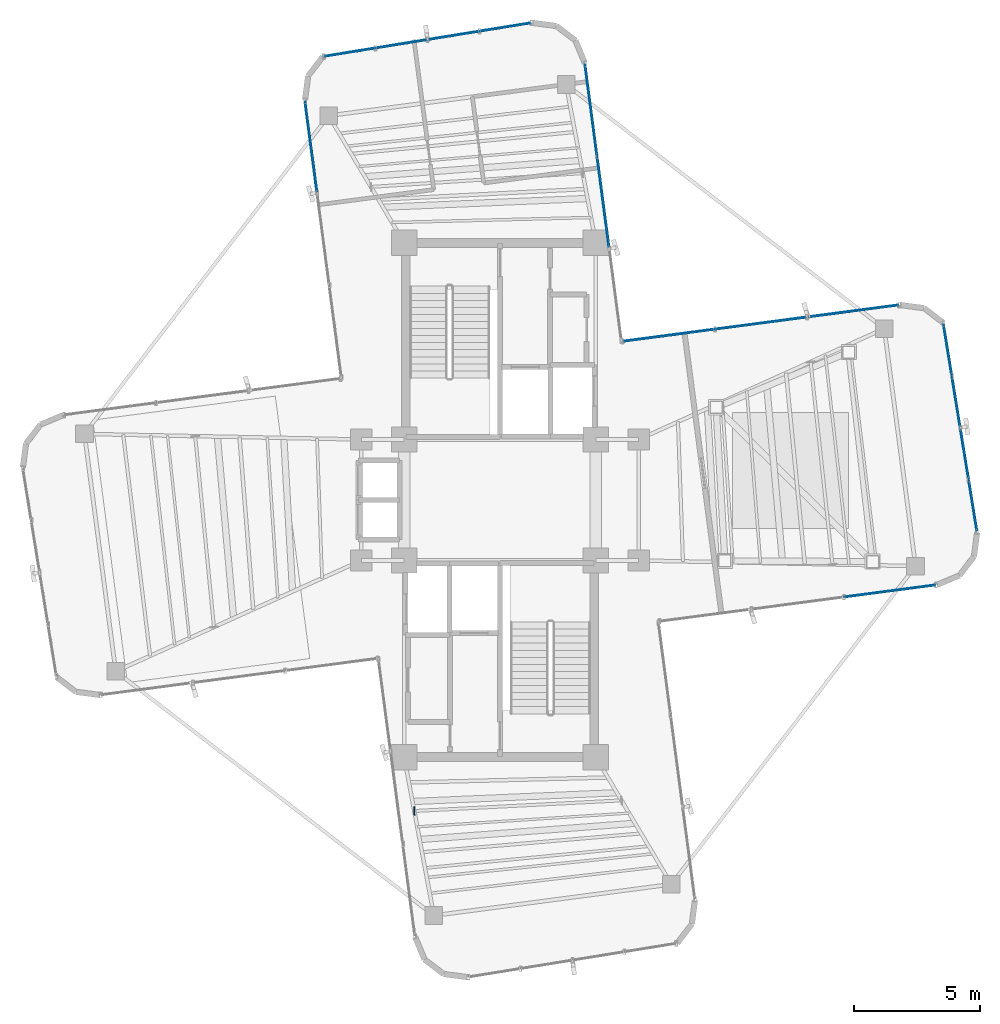
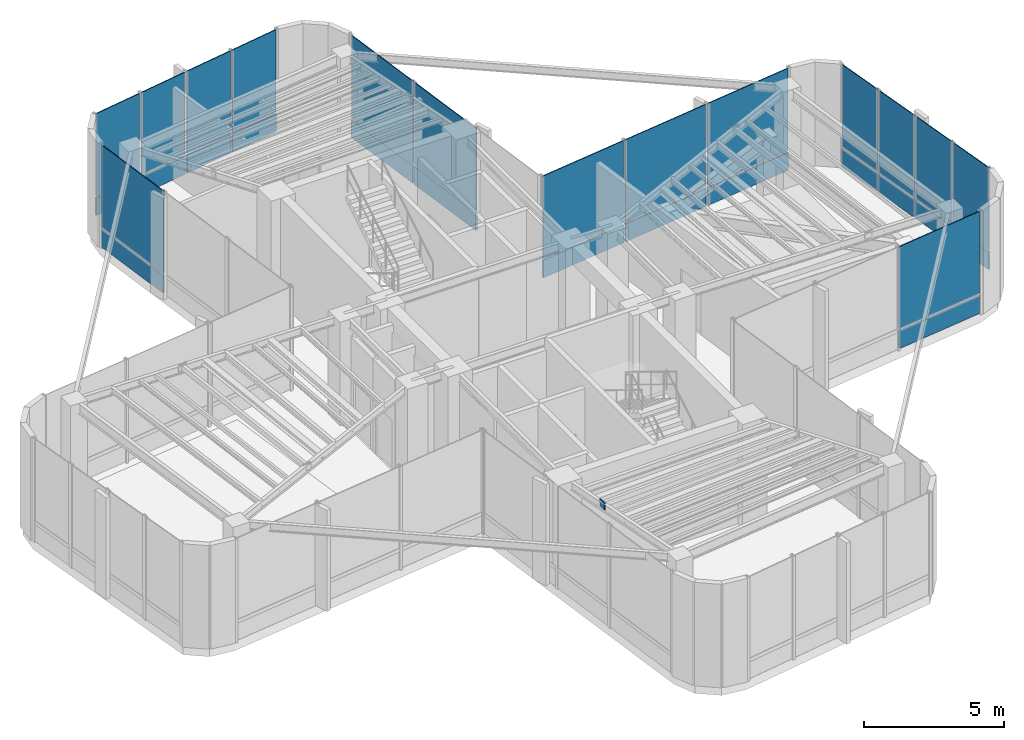
# One storey, part 12 of 16: 31 plates, 6 elements without a shape of their own.
"""IFC4 building model written with IfcOpenShell, lengths in metres."""

from ifc_helpers import new_model, si_unit, direction, frame, origin, origin_2d, place, context, subcontext, project, spatial, rectangle, extrude, source, transform, mapped, material, layer, layer_set, type_object, element, aggregate, save


model = new_model("IFC4")

# Units and contexts
model_context = context("Model", 3, precision=1e-05, world=origin(), true_north=direction((0.0, 1.0)))
body_context = subcontext(model_context, "Body", "Model", "MODEL_VIEW")
ifc_project = project(units=[si_unit("LENGTHUNIT", "METRE"), si_unit("AREAUNIT", "SQUARE_METRE"), si_unit("VOLUMEUNIT", "CUBIC_METRE"), si_unit("PLANEANGLEUNIT", "RADIAN"), si_unit("MASSUNIT", "GRAM", prefix="KILO")], contexts=[model_context])

# Site, building, storey
site_placement = place(None, origin())
site = spatial("IfcSite", under=ifc_project, at=site_placement, CompositionType="ELEMENT")
building_placement = place(site_placement, origin())
building = spatial("IfcBuilding", under=site, at=building_placement, Name="Sahyath Konkavel Grand Hotel", CompositionType="ELEMENT")
storey_placement = place(building_placement, frame((0.0, 0.0, 280.300048828125)))
storey = spatial("IfcBuildingStorey", under=building, at=storey_placement, Name="L78", CompositionType="ELEMENT", Elevation=280.300048828125)

# Plate
ifc_material_1 = material(Name="Steel E450", Category="steel")
plate_type_1 = type_object("IfcPlateType", Name="GUSSET-END-35", PredefinedType="USERDEFINED", material=ifc_material_1)
shared_shape_1 = source(origin(), body_context, "Body", "SweptSolid", [
    extrude(rectangle(XDim=0.0400390625, YDim=0.340087890625, at=origin_2d()), origin(), (0.0, 0.0, 1.0), 0.300048828125),
])
plate_1_placement = place(storey_placement, frame((-3.399169921875, -12.336181640625, 4.23974609375), z_axis=(0.0, 0.0, 1.0), x_axis=(0.998686477448, 0.051237874303, 0.0)))
element("IfcPlate", 1, at=plate_1_placement, inside=storey, type_object=plate_type_1, Name="L78 Sub-Beam S-2 End Cap A", ObjectType="GUSSET_PLATE", PredefinedType="USERDEFINED", context=body_context, shape_type="MappedRepresentation", body=[
    mapped(shared_shape_1, transform((0.0, 0.0, 0.0), scale=1.0)),
])

# Curtain wall, plates
ifc_material_2 = material(Name="Anodised Bronze Aluminium & Low-E Glazing", Category="aluminium")
curtain_wall_type = type_object("IfcCurtainWallType", Name="CW-CROWN-TMD", PredefinedType="NOTDEFINED", material=ifc_material_2)
curtain_wall_1_placement = place(storey_placement, origin())
curtain_wall_1 = element("IfcCurtainWall", 2, at=curtain_wall_1_placement, inside=storey, type_object=curtain_wall_type, Name="L78 Unitised Curtain Wall F4", PredefinedType="NOTDEFINED")
ifc_material_3 = material(Name="Warm Buff Sandstone Cladding", Category="masonry")
ifc_layer_1 = layer(ifc_material_3, 0.074951171875)
ifc_layer_set_1 = layer_set([ifc_layer_1], Name="Warm Buff Sandstone Cladding")
plate_type_2 = type_object("IfcPlateType", Name="PNL-SPANDREL-STONE", PredefinedType="SHEET", material=ifc_layer_set_1)
shared_shape_2 = source(origin(), body_context, "Body", "SweptSolid", [
    extrude(rectangle(XDim=2.007080078125, YDim=0.074951171875, at=origin_2d()), origin(), (0.0, 0.0, 1.0), 0.77001953125),
])
plate_2_placement = place(storey_placement, frame((18.75732421875, -0.220458984375, 0.0400390625), z_axis=(0.0, 0.0, 1.0), x_axis=(-0.159622750546, 0.987178088041, 0.0)))
plate_2 = element("IfcPlate", 3, at=plate_2_placement, type_object=plate_type_2, Name="L78 Sandstone Relief Spandrel Panel F4-0", PredefinedType="SHEET", context=body_context, shape_type="MappedRepresentation", body=[
    mapped(shared_shape_2, transform((0.0, 0.0, 0.0), scale=1.0)),
])
plate_3_placement = place(storey_placement, frame((18.42431640625, 1.840087890625, 0.0400390625), z_axis=(0.0, 0.0, 1.0), x_axis=(-0.159622750546, 0.987178088041, 0.0)))
plate_3 = element("IfcPlate", 4, at=plate_3_placement, type_object=plate_type_2, Name="L78 Sandstone Relief Spandrel Panel F4-1", PredefinedType="SHEET", context=body_context, shape_type="MappedRepresentation", body=[
    mapped(shared_shape_2, transform((0.0, 0.0, 0.0), scale=1.0)),
])
plate_4_placement = place(storey_placement, frame((18.091064453125, 3.900390625, 0.0400390625), z_axis=(0.0, 0.0, 1.0), x_axis=(-0.159622750546, 0.987178088041, 0.0)))
plate_4 = element("IfcPlate", 5, at=plate_4_placement, type_object=plate_type_2, Name="L78 Sandstone Relief Spandrel Panel F4-2", PredefinedType="SHEET", context=body_context, shape_type="MappedRepresentation", body=[
    mapped(shared_shape_2, transform((0.0, 0.0, 0.0), scale=1.0)),
])
plate_5_placement = place(storey_placement, frame((17.7578125, 5.960693359375, 0.0400390625), z_axis=(0.0, 0.0, 1.0), x_axis=(-0.159622750546, 0.987178088041, 0.0)))
plate_5 = element("IfcPlate", 6, at=plate_5_placement, type_object=plate_type_2, Name="L78 Sandstone Relief Spandrel Panel F4-3", PredefinedType="SHEET", context=body_context, shape_type="MappedRepresentation", body=[
    mapped(shared_shape_2, transform((0.0, 0.0, 0.0), scale=1.0)),
])

curtain_wall_2_placement = place(storey_placement, origin())
curtain_wall_2 = element("IfcCurtainWall", 7, at=curtain_wall_2_placement, inside=storey, type_object=curtain_wall_type, Name="L78 Unitised Curtain Wall F12", PredefinedType="NOTDEFINED")
plate_6_placement = place(storey_placement, frame((0.220458984375, 18.75732421875, 0.0400390625), z_axis=(0.0, 0.0, 1.0), x_axis=(-0.987178088041, -0.159622750546, 0.0)))
plate_6 = element("IfcPlate", 8, at=plate_6_placement, type_object=plate_type_2, Name="L78 Sandstone Relief Spandrel Panel F12-0", PredefinedType="SHEET", context=body_context, shape_type="MappedRepresentation", body=[
    mapped(shared_shape_2, transform((0.0, 0.0, 0.0), scale=1.0)),
])
plate_7_placement = place(storey_placement, frame((-1.840087890625, 18.42431640625, 0.0400390625), z_axis=(0.0, 0.0, 1.0), x_axis=(-0.987178088041, -0.159622750546, 0.0)))
plate_7 = element("IfcPlate", 9, at=plate_7_placement, type_object=plate_type_2, Name="L78 Sandstone Relief Spandrel Panel F12-1", PredefinedType="SHEET", context=body_context, shape_type="MappedRepresentation", body=[
    mapped(shared_shape_2, transform((0.0, 0.0, 0.0), scale=1.0)),
])
plate_8_placement = place(storey_placement, frame((-3.900390625, 18.091064453125, 0.0400390625), z_axis=(0.0, 0.0, 1.0), x_axis=(-0.987178088041, -0.159622750546, 0.0)))
plate_8 = element("IfcPlate", 10, at=plate_8_placement, type_object=plate_type_2, Name="L78 Sandstone Relief Spandrel Panel F12-2", PredefinedType="SHEET", context=body_context, shape_type="MappedRepresentation", body=[
    mapped(shared_shape_2, transform((0.0, 0.0, 0.0), scale=1.0)),
])
plate_9_placement = place(storey_placement, frame((-5.960693359375, 17.7578125, 0.0400390625), z_axis=(0.0, 0.0, 1.0), x_axis=(-0.987178088041, -0.159622750546, 0.0)))
plate_9 = element("IfcPlate", 11, at=plate_9_placement, type_object=plate_type_2, Name="L78 Sandstone Relief Spandrel Panel F12-3", PredefinedType="SHEET", context=body_context, shape_type="MappedRepresentation", body=[
    mapped(shared_shape_2, transform((0.0, 0.0, 0.0), scale=1.0)),
])

# Curtain wall, plate
curtain_wall_3_placement = place(storey_placement, origin())
curtain_wall_3 = element("IfcCurtainWall", 12, at=curtain_wall_3_placement, inside=storey, type_object=curtain_wall_type, Name="L78 Unitised Curtain Wall F0", PredefinedType="NOTDEFINED")
shared_shape_3 = source(origin(), body_context, "Body", "SweptSolid", [
    extrude(rectangle(XDim=3.610107421875, YDim=0.074951171875, at=origin_2d()), origin(), (0.0, 0.0, 1.0), 0.77001953125),
])
plate_10_placement = place(storey_placement, frame((15.46875, -3.61181640625, 0.0400390625), z_axis=(0.0, 0.0, 1.0), x_axis=(0.991444861374, 0.13052619222, 0.0)))
plate_10 = element("IfcPlate", 13, at=plate_10_placement, type_object=plate_type_2, Name="L78 Sandstone Relief Spandrel Panel F0-2", PredefinedType="SHEET", context=body_context, shape_type="MappedRepresentation", body=[
    mapped(shared_shape_3, transform((0.0, 0.0, 0.0), scale=1.0)),
])

# Curtain wall, plates
curtain_wall_4_placement = place(storey_placement, origin())
curtain_wall_4 = element("IfcCurtainWall", 14, at=curtain_wall_4_placement, inside=storey, type_object=curtain_wall_type, Name="L78 Unitised Curtain Wall F7", PredefinedType="NOTDEFINED")
plate_11_placement = place(storey_placement, frame((14.0068359375, 7.492431640625, 0.0400390625), z_axis=(0.0, 0.0, 1.0), x_axis=(-0.991444861374, -0.13052619222, 0.0)))
plate_11 = element("IfcPlate", 15, at=plate_11_placement, type_object=plate_type_2, Name="L78 Sandstone Relief Spandrel Panel F7-0", PredefinedType="SHEET", context=body_context, shape_type="MappedRepresentation", body=[
    mapped(shared_shape_3, transform((0.0, 0.0, 0.0), scale=1.0)),
])
plate_12_placement = place(storey_placement, frame((10.348388671875, 7.0107421875, 0.0400390625), z_axis=(0.0, 0.0, 1.0), x_axis=(-0.991444861374, -0.13052619222, 0.0)))
plate_12 = element("IfcPlate", 16, at=plate_12_placement, type_object=plate_type_2, Name="L78 Sandstone Relief Spandrel Panel F7-1", PredefinedType="SHEET", context=body_context, shape_type="MappedRepresentation", body=[
    mapped(shared_shape_3, transform((0.0, 0.0, 0.0), scale=1.0)),
])
plate_13_placement = place(storey_placement, frame((6.68994140625, 6.529052734375, 0.0400390625), z_axis=(0.0, 0.0, 1.0), x_axis=(-0.991444861374, -0.13052619222, 0.0)))
plate_13 = element("IfcPlate", 17, at=plate_13_placement, type_object=plate_type_2, Name="L78 Sandstone Relief Spandrel Panel F7-2", PredefinedType="SHEET", context=body_context, shape_type="MappedRepresentation", body=[
    mapped(shared_shape_3, transform((0.0, 0.0, 0.0), scale=1.0)),
])

curtain_wall_5_placement = place(storey_placement, origin())
curtain_wall_5 = element("IfcCurtainWall", 18, at=curtain_wall_5_placement, inside=storey, type_object=curtain_wall_type, Name="L78 Unitised Curtain Wall F8", PredefinedType="NOTDEFINED")
plate_14_placement = place(storey_placement, frame((4.093505859375, 11.810302734375, 0.0400390625), z_axis=(0.0, 0.0, 1.0), x_axis=(-0.13052619222, 0.991444861374, 0.0)))
plate_14 = element("IfcPlate", 19, at=plate_14_placement, type_object=plate_type_2, Name="L78 Sandstone Relief Spandrel Panel F8-1", PredefinedType="SHEET", context=body_context, shape_type="MappedRepresentation", body=[
    mapped(shared_shape_3, transform((0.0, 0.0, 0.0), scale=1.0)),
])
plate_15_placement = place(storey_placement, frame((3.61181640625, 15.46875, 0.0400390625), z_axis=(0.0, 0.0, 1.0), x_axis=(-0.13052619222, 0.991444861374, 0.0)))
plate_15 = element("IfcPlate", 20, at=plate_15_placement, type_object=plate_type_2, Name="L78 Sandstone Relief Spandrel Panel F8-2", PredefinedType="SHEET", context=body_context, shape_type="MappedRepresentation", body=[
    mapped(shared_shape_3, transform((0.0, 0.0, 0.0), scale=1.0)),
])

# Curtain wall, plate
curtain_wall_6_placement = place(storey_placement, origin())
curtain_wall_6 = element("IfcCurtainWall", 21, at=curtain_wall_6_placement, inside=storey, type_object=curtain_wall_type, Name="L78 Unitised Curtain Wall F15", PredefinedType="NOTDEFINED")
plate_16_placement = place(storey_placement, frame((-7.492431640625, 14.0068359375, 0.0400390625), z_axis=(0.0, 0.0, 1.0), x_axis=(0.13052619222, -0.991444861374, 0.0)))
plate_16 = element("IfcPlate", 22, at=plate_16_placement, type_object=plate_type_2, Name="L78 Sandstone Relief Spandrel Panel F15-0", PredefinedType="SHEET", context=body_context, shape_type="MappedRepresentation", body=[
    mapped(shared_shape_3, transform((0.0, 0.0, 0.0), scale=1.0)),
])

# Plate
ifc_material_4 = material(Name="Low-E Solar Control Double Glazing", Category="glass")
ifc_layer_2 = layer(ifc_material_4, 0.035888671875)
ifc_layer_set_2 = layer_set([ifc_layer_2], Name="Low-E Solar Control Double Glazing")
plate_type_3 = type_object("IfcPlateType", Name="PNL-VISION-LOWE", PredefinedType="CURTAIN_PANEL", material=ifc_layer_set_2)
shared_shape_4 = source(origin(), body_context, "Body", "SweptSolid", [
    extrude(rectangle(XDim=3.610107421875, YDim=0.035888671875, at=origin_2d()), origin(), (0.0, 0.0, 1.0), 3.570068359375),
])
plate_17_placement = place(storey_placement, frame((15.46875, -3.61181640625, 0.89013671875), z_axis=(0.0, 0.0, 1.0), x_axis=(0.991444861374, 0.13052619222, 0.0)))
plate_17 = element("IfcPlate", 23, at=plate_17_placement, type_object=plate_type_3, Name="L78 Low-E Vision Glazing Panel F0-2", PredefinedType="CURTAIN_PANEL", context=body_context, shape_type="MappedRepresentation", body=[
    mapped(shared_shape_4, transform((0.0, 0.0, 0.0), scale=1.0)),
])

aggregate(curtain_wall_3, [plate_10, plate_17])

plate_18_placement = place(storey_placement, frame((14.0068359375, 7.492431640625, 0.89013671875), z_axis=(0.0, 0.0, 1.0), x_axis=(-0.991444861374, -0.13052619222, 0.0)))
plate_18 = element("IfcPlate", 24, at=plate_18_placement, type_object=plate_type_3, Name="L78 Low-E Vision Glazing Panel F7-0", PredefinedType="CURTAIN_PANEL", context=body_context, shape_type="MappedRepresentation", body=[
    mapped(shared_shape_4, transform((0.0, 0.0, 0.0), scale=1.0)),
])

plate_19_placement = place(storey_placement, frame((10.348388671875, 7.0107421875, 0.89013671875), z_axis=(0.0, 0.0, 1.0), x_axis=(-0.991444861374, -0.13052619222, 0.0)))
plate_19 = element("IfcPlate", 25, at=plate_19_placement, type_object=plate_type_3, Name="L78 Low-E Vision Glazing Panel F7-1", PredefinedType="CURTAIN_PANEL", context=body_context, shape_type="MappedRepresentation", body=[
    mapped(shared_shape_4, transform((0.0, 0.0, 0.0), scale=1.0)),
])

plate_20_placement = place(storey_placement, frame((6.68994140625, 6.529052734375, 0.89013671875), z_axis=(0.0, 0.0, 1.0), x_axis=(-0.991444861374, -0.13052619222, 0.0)))
plate_20 = element("IfcPlate", 26, at=plate_20_placement, type_object=plate_type_3, Name="L78 Low-E Vision Glazing Panel F7-2", PredefinedType="CURTAIN_PANEL", context=body_context, shape_type="MappedRepresentation", body=[
    mapped(shared_shape_4, transform((0.0, 0.0, 0.0), scale=1.0)),
])

aggregate(curtain_wall_4, [plate_11, plate_18, plate_12, plate_19, plate_13, plate_20])

plate_21_placement = place(storey_placement, frame((4.093505859375, 11.810302734375, 0.89013671875), z_axis=(0.0, 0.0, 1.0), x_axis=(-0.13052619222, 0.991444861374, 0.0)))
plate_21 = element("IfcPlate", 27, at=plate_21_placement, type_object=plate_type_3, Name="L78 Low-E Vision Glazing Panel F8-1", PredefinedType="CURTAIN_PANEL", context=body_context, shape_type="MappedRepresentation", body=[
    mapped(shared_shape_4, transform((0.0, 0.0, 0.0), scale=1.0)),
])

plate_22_placement = place(storey_placement, frame((3.61181640625, 15.46875, 0.89013671875), z_axis=(0.0, 0.0, 1.0), x_axis=(-0.13052619222, 0.991444861374, 0.0)))
plate_22 = element("IfcPlate", 28, at=plate_22_placement, type_object=plate_type_3, Name="L78 Low-E Vision Glazing Panel F8-2", PredefinedType="CURTAIN_PANEL", context=body_context, shape_type="MappedRepresentation", body=[
    mapped(shared_shape_4, transform((0.0, 0.0, 0.0), scale=1.0)),
])

aggregate(curtain_wall_5, [plate_14, plate_21, plate_15, plate_22])

plate_23_placement = place(storey_placement, frame((-7.492431640625, 14.0068359375, 0.89013671875), z_axis=(0.0, 0.0, 1.0), x_axis=(0.13052619222, -0.991444861374, 0.0)))
plate_23 = element("IfcPlate", 29, at=plate_23_placement, type_object=plate_type_3, Name="L78 Low-E Vision Glazing Panel F15-0", PredefinedType="CURTAIN_PANEL", context=body_context, shape_type="MappedRepresentation", body=[
    mapped(shared_shape_4, transform((0.0, 0.0, 0.0), scale=1.0)),
])

aggregate(curtain_wall_6, [plate_16, plate_23])

shared_shape_5 = source(origin(), body_context, "Body", "SweptSolid", [
    extrude(rectangle(XDim=2.007080078125, YDim=0.035888671875, at=origin_2d()), origin(), (0.0, 0.0, 1.0), 3.570068359375),
])
plate_24_placement = place(storey_placement, frame((18.75732421875, -0.220458984375, 0.89013671875), z_axis=(0.0, 0.0, 1.0), x_axis=(-0.159622750546, 0.987178088041, 0.0)))
plate_24 = element("IfcPlate", 30, at=plate_24_placement, type_object=plate_type_3, Name="L78 Low-E Vision Glazing Panel F4-0", PredefinedType="CURTAIN_PANEL", context=body_context, shape_type="MappedRepresentation", body=[
    mapped(shared_shape_5, transform((0.0, 0.0, 0.0), scale=1.0)),
])

plate_25_placement = place(storey_placement, frame((18.42431640625, 1.840087890625, 0.89013671875), z_axis=(0.0, 0.0, 1.0), x_axis=(-0.159622750546, 0.987178088041, 0.0)))
plate_25 = element("IfcPlate", 31, at=plate_25_placement, type_object=plate_type_3, Name="L78 Low-E Vision Glazing Panel F4-1", PredefinedType="CURTAIN_PANEL", context=body_context, shape_type="MappedRepresentation", body=[
    mapped(shared_shape_5, transform((0.0, 0.0, 0.0), scale=1.0)),
])

plate_26_placement = place(storey_placement, frame((18.091064453125, 3.900390625, 0.89013671875), z_axis=(0.0, 0.0, 1.0), x_axis=(-0.159622750546, 0.987178088041, 0.0)))
plate_26 = element("IfcPlate", 32, at=plate_26_placement, type_object=plate_type_3, Name="L78 Low-E Vision Glazing Panel F4-2", PredefinedType="CURTAIN_PANEL", context=body_context, shape_type="MappedRepresentation", body=[
    mapped(shared_shape_5, transform((0.0, 0.0, 0.0), scale=1.0)),
])

plate_27_placement = place(storey_placement, frame((17.7578125, 5.960693359375, 0.89013671875), z_axis=(0.0, 0.0, 1.0), x_axis=(-0.159622750546, 0.987178088041, 0.0)))
plate_27 = element("IfcPlate", 33, at=plate_27_placement, type_object=plate_type_3, Name="L78 Low-E Vision Glazing Panel F4-3", PredefinedType="CURTAIN_PANEL", context=body_context, shape_type="MappedRepresentation", body=[
    mapped(shared_shape_5, transform((0.0, 0.0, 0.0), scale=1.0)),
])

aggregate(curtain_wall_1, [plate_2, plate_24, plate_3, plate_25, plate_4, plate_26, plate_5, plate_27])

plate_28_placement = place(storey_placement, frame((0.220458984375, 18.75732421875, 0.89013671875), z_axis=(0.0, 0.0, 1.0), x_axis=(-0.987178088041, -0.159622750546, 0.0)))
plate_28 = element("IfcPlate", 34, at=plate_28_placement, type_object=plate_type_3, Name="L78 Low-E Vision Glazing Panel F12-0", PredefinedType="CURTAIN_PANEL", context=body_context, shape_type="MappedRepresentation", body=[
    mapped(shared_shape_5, transform((0.0, 0.0, 0.0), scale=1.0)),
])

plate_29_placement = place(storey_placement, frame((-1.840087890625, 18.42431640625, 0.89013671875), z_axis=(0.0, 0.0, 1.0), x_axis=(-0.987178088041, -0.159622750546, 0.0)))
plate_29 = element("IfcPlate", 35, at=plate_29_placement, type_object=plate_type_3, Name="L78 Low-E Vision Glazing Panel F12-1", PredefinedType="CURTAIN_PANEL", context=body_context, shape_type="MappedRepresentation", body=[
    mapped(shared_shape_5, transform((0.0, 0.0, 0.0), scale=1.0)),
])

plate_30_placement = place(storey_placement, frame((-3.900390625, 18.091064453125, 0.89013671875), z_axis=(0.0, 0.0, 1.0), x_axis=(-0.987178088041, -0.159622750546, 0.0)))
plate_30 = element("IfcPlate", 36, at=plate_30_placement, type_object=plate_type_3, Name="L78 Low-E Vision Glazing Panel F12-2", PredefinedType="CURTAIN_PANEL", context=body_context, shape_type="MappedRepresentation", body=[
    mapped(shared_shape_5, transform((0.0, 0.0, 0.0), scale=1.0)),
])

plate_31_placement = place(storey_placement, frame((-5.960693359375, 17.7578125, 0.89013671875), z_axis=(0.0, 0.0, 1.0), x_axis=(-0.987178088041, -0.159622750546, 0.0)))
plate_31 = element("IfcPlate", 37, at=plate_31_placement, type_object=plate_type_3, Name="L78 Low-E Vision Glazing Panel F12-3", PredefinedType="CURTAIN_PANEL", context=body_context, shape_type="MappedRepresentation", body=[
    mapped(shared_shape_5, transform((0.0, 0.0, 0.0), scale=1.0)),
])

aggregate(curtain_wall_2, [plate_6, plate_28, plate_7, plate_29, plate_8, plate_30, plate_9, plate_31])

save(model, "model.ifc")
